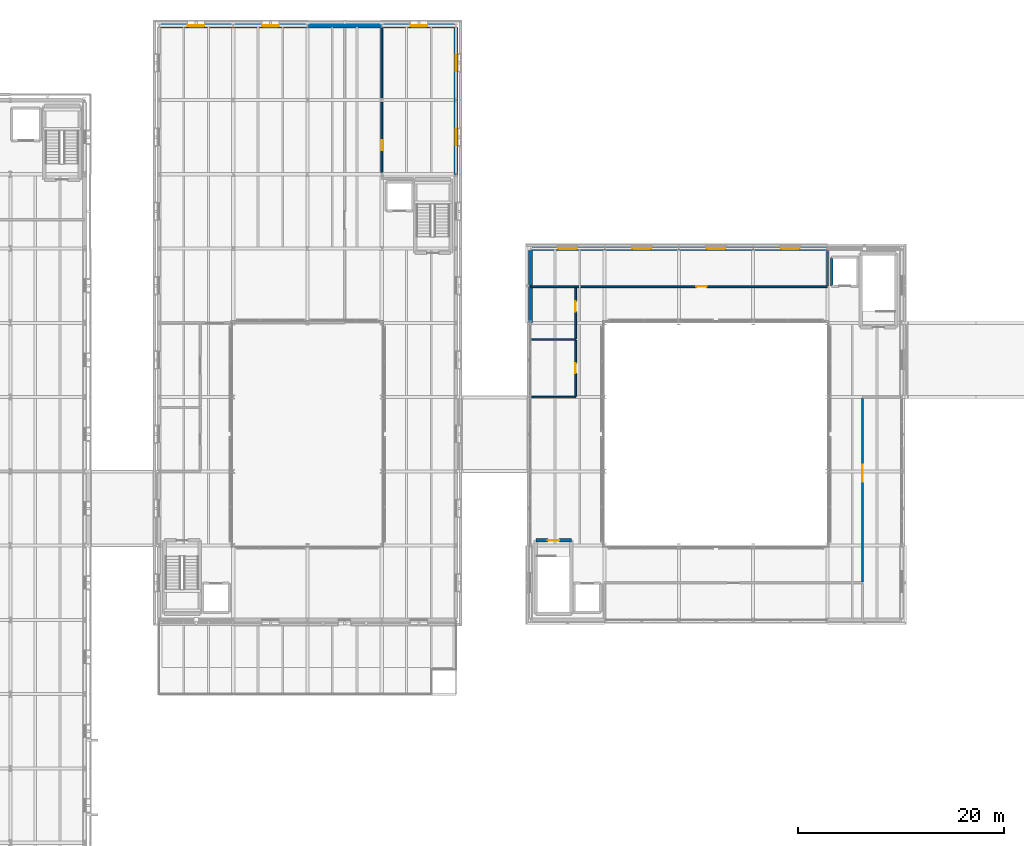
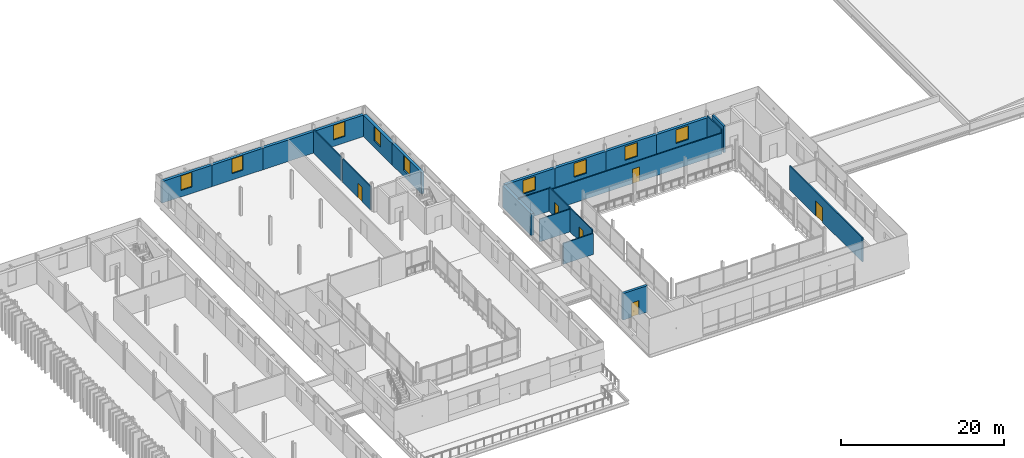
# One storey, part 63 of 91: 23 walls, 9 windows, 6 doors, 15 openings.
"""IFC4 building model written with IfcOpenShell, lengths in metres."""

from ifc_helpers import new_model, si_unit, direction, frame, frame_2d, origin, place, context, subcontext, project, spatial, rectangle, extrude, material, layer, layer_set, type_object, element, fill, save


model = new_model("IFC4")

# Units and contexts
model_context = context("Model", 3, precision=1e-05, world=origin(), true_north=direction((0.0, 1.0)))
body_context = subcontext(model_context, "Body", "Model", "MODEL_VIEW")
ifc_project = project(units=[si_unit("LENGTHUNIT", "METRE"), si_unit("AREAUNIT", "SQUARE_METRE"), si_unit("VOLUMEUNIT", "CUBIC_METRE"), si_unit("PLANEANGLEUNIT", "RADIAN"), si_unit("MASSUNIT", "GRAM", prefix="KILO")], contexts=[model_context])

# Site, building, storey
site_placement = place(None, origin())
site = spatial("IfcSite", under=ifc_project, at=site_placement, CompositionType="ELEMENT")
building_placement = place(site_placement, origin())
building = spatial("IfcBuilding", under=site, at=building_placement, Name="Narikvali Park Central Library", CompositionType="ELEMENT")
storey_placement = place(building_placement, frame((0.0, 0.0, 14.39990234375)))
storey = spatial("IfcBuildingStorey", under=building, at=storey_placement, Name="L03", CompositionType="ELEMENT", Elevation=14.39990234375)

# Walls
ifc_material_1 = material(Name="Moisture-Resistant Cement Board on Steel Studs", Category="steel")
ifc_layer_1 = layer(ifc_material_1, 0.14990234375, Name="Moisture-Resistant Cement Board on Steel Studs")
ifc_layer_set_1 = layer_set([ifc_layer_1], Name="Moisture-Resistant Cement Board on Steel Studs")
wall_type_1 = type_object("IfcWallType", Name="Moisture-Resistant WC Partition 150", PredefinedType="PARTITIONING", material=ifc_layer_set_1)
wall_1_placement = place(storey_placement, frame((64.9541015625, 79.199951171875, 0.0), z_axis=(0.0, 0.0, 1.0), x_axis=(1.0, 0.0, 0.0)))
element("IfcWall", 1, at=wall_1_placement, inside=storey, type_object=wall_type_1, Name="Accessible WC and Restrooms L03 Partition S", PredefinedType="PARTITIONING", context=body_context, shape_type="SweptSolid", body=[
    extrude(rectangle(XDim=4.245849609375, YDim=0.14990234375, at=frame_2d((2.123046875, 0.0))), origin(), (0.0, 0.0, 1.0), 3.135009765625),
])
wall_2_placement = place(storey_placement, frame((64.85498046875, 84.800048828125, 0.0), z_axis=(0.0, 0.0, 1.0), x_axis=(1.0, 0.0, 0.0)))
element("IfcWall", 2, at=wall_2_placement, inside=storey, type_object=wall_type_1, Name="Accessible WC and Restrooms L03 Partition N", PredefinedType="PARTITIONING", context=body_context, shape_type="SweptSolid", body=[
    extrude(rectangle(XDim=4.344970703125, YDim=0.14990234375, at=frame_2d((2.17236328125, 0.0))), origin(), (0.0, 0.0, 1.0), 3.39501953125),
])

# Wall, opening, door
wall_3_placement = place(storey_placement, frame((69.199951171875, 79.277099609375, 0.0), z_axis=(0.0, 0.0, 1.0), x_axis=(0.0, 1.0, 0.0)))
wall_3 = element("IfcWall", 3, at=wall_3_placement, inside=storey, type_object=wall_type_1, Name="Accessible WC and Restrooms L03 Partition E", PredefinedType="PARTITIONING", context=body_context, shape_type="SweptSolid", body=[
    extrude(rectangle(XDim=5.44580078125, YDim=0.14990234375, at=frame_2d((2.722900390625, 0.0))), origin(), (0.0, 0.0, 1.0), 3.585205078125),
])
opening_1_placement = place(wall_3_placement, frame((2.23291015625, 0.0, 0.0)))
opening_1 = element("IfcOpeningElement", 4, at=opening_1_placement, cuts=wall_3, Name="Opening ID-0004", PredefinedType="OPENING", context=body_context, shape_type="SweptSolid", body=[
    extrude(rectangle(XDim=0.97998046875, YDim=2.10009765625, at=frame_2d((0.489990234375, 1.050048828125))), frame((0.0, 0.0869140625, 0.0), z_axis=(0.0, -1.0, 0.0), x_axis=(1.0, 0.0, 0.0)), (0.0, 0.0, 1.0), 0.173828125),
])
ifc_material_2 = material(Name="Laminate Faced Hardwood Core", Category="wood")
door_type_1 = type_object("IfcDoorType", Name="Accessible WC Outward-Opening Door 980x2100", OperationType="SINGLE_SWING_RIGHT", PredefinedType="DOOR", material=ifc_material_2)
door_1_placement = place(opening_1_placement, frame((0.97998046875, 0.0, 0.0), z_axis=(0.0, 0.0, 1.0), x_axis=(-1.0, 0.0, 0.0)))
door_1 = element("IfcDoor", 5, at=door_1_placement, inside=storey, type_object=door_type_1, Name="Accessible WC and Restrooms L03 Door ID-0004", OperationType="SINGLE_SWING_RIGHT", OverallHeight=2.10009765625, OverallWidth=0.97998046875, PredefinedType="DOOR", context=body_context, shape_type="SweptSolid", body=[
    extrude(rectangle(XDim=0.97998046875, YDim=2.10009765625, at=frame_2d((0.489990234375, 1.050048828125))), frame((0.0, 0.02490234375, 0.0), z_axis=(0.0, -1.0, 0.0), x_axis=(1.0, 0.0, 0.0)), (0.0, 0.0, 1.0), 0.050048828125),
])
fill(opening_1, door_1)

# Wall
ifc_material_3 = material(Name="Acoustic Gypsum on Steel Studs", Category="steel")
ifc_layer_2 = layer(ifc_material_3, 0.179931640625, Name="Acoustic Gypsum on Steel Studs")
ifc_layer_set_2 = layer_set([ifc_layer_2], Name="Acoustic Gypsum on Steel Studs")
wall_type_2 = type_object("IfcWallType", Name="Reading Room Acoustic Partition 180", PredefinedType="PARTITIONING", material=ifc_layer_set_2)
wall_4_placement = place(storey_placement, frame((64.85498046875, 89.89990234375, 0.0), z_axis=(0.0, 0.0, 1.0), x_axis=(1.0, 0.0, 0.0)))
element("IfcWall", 6, at=wall_4_placement, inside=storey, type_object=wall_type_2, Name="Drum Clerestory Archival Supply Closet Partition N", PredefinedType="PARTITIONING", context=body_context, shape_type="SweptSolid", body=[
    extrude(rectangle(XDim=4.344970703125, YDim=0.179931640625, at=frame_2d((2.17236328125, 0.0))), origin(), (0.0, 0.0, 1.0), 3.39501953125),
])

# Wall, opening, door
wall_5_placement = place(storey_placement, frame((97.0, 61.281982421875, 0.0), z_axis=(0.0, 0.0, 1.0), x_axis=(0.0, 1.0, 0.0)))
wall_5 = element("IfcWall", 7, at=wall_5_placement, inside=storey, type_object=wall_type_2, Name="Drum Clerestory East Open Stacks Gallery Partition W", PredefinedType="PARTITIONING", context=body_context, shape_type="SweptSolid", body=[
    extrude(rectangle(XDim=17.825927734375, YDim=0.179931640625, at=frame_2d((8.9130859375, 0.0))), origin(), (0.0, 0.0, 1.0), 3.585205078125),
])
opening_2_placement = place(wall_5_placement, frame((9.72705078125, 0.0, 0.0)))
opening_2 = element("IfcOpeningElement", 8, at=opening_2_placement, cuts=wall_5, Name="Opening ID-0047", PredefinedType="OPENING", context=body_context, shape_type="SweptSolid", body=[
    extrude(rectangle(XDim=1.64990234375, YDim=2.25, at=frame_2d((0.824951171875, 1.125))), frame((0.0, 0.10205078125, 0.0), z_axis=(0.0, -1.0, 0.0), x_axis=(1.0, 0.0, 0.0)), (0.0, 0.0, 1.0), 0.203857421875),
])
ifc_material_4 = material(Name="Caucasian Oak and Tempered Glass", Category="glass")
door_type_2 = type_object("IfcDoorType", Name="Open Stacks Double Glazed Door 1650x2250", OperationType="DOUBLE_DOOR_SINGLE_SWING", PredefinedType="DOOR", material=ifc_material_4)
door_2_placement = place(opening_2_placement, frame((1.64990234375, 0.0, 0.0), z_axis=(0.0, 0.0, 1.0), x_axis=(-1.0, 0.0, 0.0)))
door_2 = element("IfcDoor", 9, at=door_2_placement, inside=storey, type_object=door_type_2, Name="Drum Clerestory East Open Stacks Gallery Door ID-0047", OperationType="DOUBLE_DOOR_SINGLE_SWING", OverallHeight=2.25, OverallWidth=1.64990234375, PredefinedType="DOOR", context=body_context, shape_type="SweptSolid", body=[
    extrude(rectangle(XDim=1.64990234375, YDim=2.25, at=frame_2d((0.824951171875, 1.125))), frame((0.0, 0.02490234375, 0.0), z_axis=(0.0, -1.0, 0.0), x_axis=(1.0, 0.0, 0.0)), (0.0, 0.0, 1.0), 0.050048828125),
])
fill(opening_2, door_2)

wall_6_placement = place(storey_placement, frame((69.199951171875, 84.876953125, 0.0), z_axis=(0.0, 0.0, 1.0), x_axis=(0.0, 1.0, 0.0)))
wall_6 = element("IfcWall", 10, at=wall_6_placement, inside=storey, type_object=wall_type_2, Name="Drum Clerestory Archival Supply Closet Partition E", PredefinedType="PARTITIONING", context=body_context, shape_type="SweptSolid", body=[
    extrude(rectangle(XDim=4.93115234375, YDim=0.179931640625, at=frame_2d((2.465576171875, 0.0))), origin(), (0.0, 0.0, 1.0), 3.585205078125),
])
opening_3_placement = place(wall_6_placement, frame((2.60693359375, 0.0, 0.0)))
opening_3 = element("IfcOpeningElement", 11, at=opening_3_placement, cuts=wall_6, Name="Opening ID-0048", PredefinedType="OPENING", context=body_context, shape_type="SweptSolid", body=[
    extrude(rectangle(XDim=1.0, YDim=2.14990234375, at=frame_2d((0.5, 1.074951171875))), frame((0.0, 0.10205078125, 0.0), z_axis=(0.0, -1.0, 0.0), x_axis=(1.0, 0.0, 0.0)), (0.0, 0.0, 1.0), 0.203857421875),
])
ifc_material_5 = material(Name="Solid Caucasian Oak")
door_type_3 = type_object("IfcDoorType", Name="Study Room Single Oak Door 1000x2150", OperationType="SINGLE_SWING_LEFT", PredefinedType="DOOR", material=ifc_material_5)
door_3_placement = place(opening_3_placement, origin())
door_3 = element("IfcDoor", 12, at=door_3_placement, inside=storey, type_object=door_type_3, Name="Drum Clerestory Archival Supply Closet Door ID-0048", OperationType="SINGLE_SWING_RIGHT", OverallHeight=2.14990234375, OverallWidth=1.0, PredefinedType="DOOR", context=body_context, shape_type="SweptSolid", body=[
    extrude(rectangle(XDim=1.0, YDim=2.14990234375, at=frame_2d((0.5, 1.074951171875))), frame((0.0, 0.02490234375, 0.0), z_axis=(0.0, -1.0, 0.0), x_axis=(1.0, 0.0, 0.0)), (0.0, 0.0, 1.0), 0.050048828125),
])
fill(opening_3, door_3)

ifc_material_6 = material(Name="Concrete C40/50", Category="concrete")
ifc_layer_3 = layer(ifc_material_6, 0.35009765625, Name="Concrete C40/50")
ifc_layer_set_3 = layer_set([ifc_layer_3], Name="Concrete C40/50")
wall_type_3 = type_object("IfcWallType", Name="Reinforced Concrete Core Shear Wall 350", PredefinedType="SHEAR", material=ifc_layer_set_3)
wall_7_placement = place(storey_placement, frame((68.77001953125, 65.320068359375, 0.0), z_axis=(0.0, 0.0, 1.0), x_axis=(-1.0, 0.0, 0.0)))
wall_7 = element("IfcWall", 13, at=wall_7_placement, inside=storey, type_object=wall_type_3, Name="C1A L03 Stair Core Shear Wall N", PredefinedType="SHEAR", context=body_context, shape_type="SweptSolid", body=[
    extrude(rectangle(XDim=3.43994140625, YDim=0.35009765625, at=frame_2d((1.719970703125, 0.0))), origin(), (0.0, 0.0, 1.0), 3.960205078125),
])
opening_4_placement = place(wall_7_placement, frame((1.169921875, 0.0, 0.0)))
opening_4 = element("IfcOpeningElement", 14, at=opening_4_placement, cuts=wall_7, Name="Opening SD-005", PredefinedType="OPENING", context=body_context, shape_type="SweptSolid", body=[
    extrude(rectangle(XDim=1.10009765625, YDim=2.14990234375, at=frame_2d((0.550048828125, 1.074951171875))), frame((0.0, 0.18701171875, 0.0), z_axis=(0.0, -1.0, 0.0), x_axis=(1.0, 0.0, 0.0)), (0.0, 0.0, 1.0), 0.3740234375),
])
ifc_material_7 = material(Name="Powder-Coated Steel S275 Fire Leaf", Category="steel")
door_type_4 = type_object("IfcDoorType", Name="Stair Core Smoke-Control Fire Door 1100x2150", OperationType="SINGLE_SWING_LEFT", PredefinedType="DOOR", material=ifc_material_7)
door_4_placement = place(opening_4_placement, frame((1.10009765625, 0.0, 0.0), z_axis=(0.0, 0.0, 1.0), x_axis=(-1.0, 0.0, 0.0)))
door_4 = element("IfcDoor", 15, at=door_4_placement, inside=storey, type_object=door_type_4, Name="ST-01 L03 Stair Exit Door SD-005", OperationType="SINGLE_SWING_LEFT", OverallHeight=2.14990234375, OverallWidth=1.10009765625, PredefinedType="DOOR", context=body_context, shape_type="SweptSolid", body=[
    extrude(rectangle(XDim=1.10009765625, YDim=2.14990234375, at=frame_2d((0.550048828125, 1.074951171875))), frame((0.0, 0.02490234375, 0.0), z_axis=(0.0, -1.0, 0.0), x_axis=(1.0, 0.0, 0.0)), (0.0, 0.0, 1.0), 0.050048828125),
])
fill(opening_4, door_4)

# Wall
ifc_layer_4 = layer(ifc_material_6, 0.25, Name="Concrete C40/50")
ifc_layer_set_4 = layer_set([ifc_layer_4], Name="Concrete C40/50")
wall_type_4 = type_object("IfcWallType", Name="Reinforced Concrete Lift Shaft Wall 250", PredefinedType="SHEAR", material=ifc_layer_set_4)
wall_8_placement = place(storey_placement, frame((94.0, 92.75, 0.0), z_axis=(0.0, 0.0, 1.0), x_axis=(0.0, -1.0, 0.0)))
element("IfcWall", 16, at=wall_8_placement, inside=storey, type_object=wall_type_4, Name="L-02 L03 Lift Shaft Wall W", PredefinedType="SHEAR", context=body_context, shape_type="SweptSolid", body=[
    extrude(rectangle(XDim=2.800048828125, YDim=0.25, at=frame_2d((1.39990234375, 0.0))), origin(), (0.0, 0.0, 1.0), 3.960205078125),
])

# Wall, opening, door
ifc_material_8 = material(Name="Gypsum Board on Galvanised Steel Studs", Category="steel")
ifc_layer_5 = layer(ifc_material_8, 0.159912109375, Name="Gypsum Board on Galvanised Steel Studs")
ifc_layer_set_5 = layer_set([ifc_layer_5], Name="Gypsum Board on Galvanised Steel Studs")
wall_type_5 = type_object("IfcWallType", Name="Study Room Partition Wall 160", PredefinedType="PARTITIONING", material=ifc_layer_set_5)
wall_9_placement = place(storey_placement, frame((69.201904296875, 89.89990234375, 0.0), z_axis=(0.0, 0.0, 1.0), x_axis=(1.0, 0.0, 0.0)))
wall_9 = element("IfcWall", 17, at=wall_9_placement, inside=storey, type_object=wall_type_5, Name="Drum Clerestory North Study Gallery Partition S", PredefinedType="PARTITIONING", context=body_context, shape_type="SweptSolid", body=[
    extrude(rectangle(XDim=24.398193359375, YDim=0.159912109375, at=frame_2d((12.19921875, 0.0))), origin(), (0.0, 0.0, 1.0), 3.135009765625),
])
opening_5_placement = place(wall_9_placement, frame((11.698974609375, 0.0, 0.0)))
opening_5 = element("IfcOpeningElement", 18, at=opening_5_placement, cuts=wall_9, Name="Opening ID-0049", PredefinedType="OPENING", context=body_context, shape_type="SweptSolid", body=[
    extrude(rectangle(XDim=1.0, YDim=2.14990234375, at=frame_2d((0.5, 1.074951171875))), frame((0.0, 0.091796875, 0.0), z_axis=(0.0, -1.0, 0.0), x_axis=(1.0, 0.0, 0.0)), (0.0, 0.0, 1.0), 0.183837890625),
])
door_5_placement = place(opening_5_placement, origin())
door_5 = element("IfcDoor", 19, at=door_5_placement, inside=storey, type_object=door_type_3, Name="Drum Clerestory North Study Gallery Door ID-0049", OperationType="SINGLE_SWING_LEFT", OverallHeight=2.14990234375, OverallWidth=1.0, PredefinedType="DOOR", context=body_context, shape_type="SweptSolid", body=[
    extrude(rectangle(XDim=1.0, YDim=2.14990234375, at=frame_2d((0.5, 1.074951171875))), frame((0.0, 0.02490234375, 0.0), z_axis=(0.0, -1.0, 0.0), x_axis=(1.0, 0.0, 0.0)), (0.0, 0.0, 1.0), 0.050048828125),
])
fill(opening_5, door_5)

# Wall
wall_10_placement = place(storey_placement, frame((93.60009765625, 89.98193359375, 0.0), z_axis=(0.0, 0.0, 1.0), x_axis=(0.0, 1.0, 0.0)))
element("IfcWall", 20, at=wall_10_placement, inside=storey, type_object=wall_type_5, Name="Drum Clerestory North Study Gallery Partition E", PredefinedType="PARTITIONING", context=body_context, shape_type="SweptSolid", body=[
    extrude(rectangle(XDim=3.43408203125, YDim=0.159912109375, at=frame_2d((1.717041015625, 0.0))), origin(), (0.0, 0.0, 1.0), 3.59521484375),
])

# Wall, opening, door
wall_11_placement = place(storey_placement, frame((50.39990234375, 100.97412109375, 0.0), z_axis=(0.0, 0.0, 1.0), x_axis=(0.0, 1.0, 0.0)))
wall_11 = element("IfcWall", 21, at=wall_11_placement, inside=storey, type_object=wall_type_5, Name="North Boulevard Scholar Carrels L03 Partition W", PredefinedType="PARTITIONING", context=body_context, shape_type="SweptSolid", body=[
    extrude(rectangle(XDim=6.851806640625, YDim=0.159912109375, at=frame_2d((3.42578125, 0.0))), origin(), (0.0, 0.0, 1.0), 3.4951171875),
])
opening_6_placement = place(wall_11_placement, frame((2.133056640625, 0.0, 0.0)))
opening_6 = element("IfcOpeningElement", 22, at=opening_6_placement, cuts=wall_11, Name="Opening ID-0099", PredefinedType="OPENING", context=body_context, shape_type="SweptSolid", body=[
    extrude(rectangle(XDim=1.0, YDim=2.14990234375, at=frame_2d((0.5, 1.074951171875))), frame((0.0, 0.091796875, 0.0), z_axis=(0.0, -1.0, 0.0), x_axis=(1.0, 0.0, 0.0)), (0.0, 0.0, 1.0), 0.183837890625),
])
door_6_placement = place(opening_6_placement, frame((1.0, 0.0, 0.0), z_axis=(0.0, 0.0, 1.0), x_axis=(-1.0, 0.0, 0.0)))
door_6 = element("IfcDoor", 23, at=door_6_placement, inside=storey, type_object=door_type_3, Name="North Boulevard Scholar Carrels L03 Door ID-0099", OperationType="SINGLE_SWING_LEFT", OverallHeight=2.14990234375, OverallWidth=1.0, PredefinedType="DOOR", context=body_context, shape_type="SweptSolid", body=[
    extrude(rectangle(XDim=1.0, YDim=2.14990234375, at=frame_2d((0.5, 1.074951171875))), frame((0.0, 0.02490234375, 0.0), z_axis=(0.0, -1.0, 0.0), x_axis=(1.0, 0.0, 0.0)), (0.0, 0.0, 1.0), 0.050048828125),
])
fill(opening_6, door_6)

# Wall
wall_12_placement = place(storey_placement, frame((50.39990234375, 108.174072265625, 0.0), z_axis=(0.0, 0.0, 1.0), x_axis=(0.0, 1.0, 0.0)))
element("IfcWall", 24, at=wall_12_placement, inside=storey, type_object=wall_type_5, Name="North Boulevard Scholar Carrels L03 Partition W", PredefinedType="PARTITIONING", context=body_context, shape_type="SweptSolid", body=[
    extrude(rectangle(XDim=6.851806640625, YDim=0.159912109375, at=frame_2d((3.42578125, 0.0))), origin(), (0.0, 0.0, 1.0), 3.4951171875),
])

# Wall, opening, window
ifc_material_9 = material(Name="White Honed Limestone over Concrete C35/45", Category="masonry")
ifc_layer_6 = layer(ifc_material_9, 0.39990234375, Name="White Honed Limestone over Concrete C35/45")
ifc_layer_set_6 = layer_set([ifc_layer_6], Name="White Honed Limestone over Concrete C35/45")
wall_type_6 = type_object("IfcWallType", Name="White Limestone Battered Tier3 Wall 400", PredefinedType="SOLIDWALL", material=ifc_layer_set_6)
wall_13_placement = place(storey_placement, frame((93.60009765625, 93.60009765625, 0.0), z_axis=(0.0, 0.0, 1.0), x_axis=(-1.0, 0.0, 0.0)))
wall_13 = element("IfcWall", 25, at=wall_13_placement, inside=storey, type_object=wall_type_6, Name="V1 L03 N Exterior Limestone Wall B02", PredefinedType="SOLIDWALL", context=body_context, shape_type="SweptSolid", body=[
    extrude(rectangle(XDim=7.2001953125, YDim=0.39990234375, at=frame_2d((3.60009765625, 0.0))), origin(), (0.0, 0.0, 1.0), 3.239990234375),
])
opening_7_placement = place(wall_13_placement, frame((2.699951171875, 0.0, 0.949951171875)))
opening_7 = element("IfcOpeningElement", 26, at=opening_7_placement, cuts=wall_13, Name="Opening WIN-0039", PredefinedType="OPENING", context=body_context, shape_type="SweptSolid", body=[
    extrude(rectangle(XDim=1.800048828125, YDim=2.050048828125, at=frame_2d((0.89990234375, 1.02490234375))), frame((0.0, 0.2119140625, 0.0), z_axis=(0.0, -1.0, 0.0), x_axis=(1.0, 0.0, 0.0)), (0.0, 0.0, 1.0), 0.423828125),
])
ifc_material_10 = material(Name="Anodised Bronze Aluminium and Low-E Triple Glazing", Category="aluminium")
window_type_1 = type_object("IfcWindowType", Name="Rotunda Mezzanine Deep-Set Window 1800x2050", PartitioningType="DOUBLE_PANEL_VERTICAL", PredefinedType="WINDOW", material=ifc_material_10)
window_1_placement = place(opening_7_placement, origin())
window_1 = element("IfcWindow", 27, at=window_1_placement, inside=storey, type_object=window_type_1, Name="V1 L03 N Deep-Reveal Window WIN-0039", OverallHeight=2.050048828125, OverallWidth=1.800048828125, PartitioningType="SINGLE_PANEL", PredefinedType="WINDOW", context=body_context, shape_type="SweptSolid", body=[
    extrude(rectangle(XDim=1.800048828125, YDim=2.050048828125, at=frame_2d((0.89990234375, 1.02490234375))), frame((0.0, 0.030029296875, 0.0), z_axis=(0.0, -1.0, 0.0), x_axis=(1.0, 0.0, 0.0)), (0.0, 0.0, 1.0), 0.06005859375),
])
fill(opening_7, window_1)

wall_14_placement = place(storey_placement, frame((86.39990234375, 93.60009765625, 0.0), z_axis=(0.0, 0.0, 1.0), x_axis=(-1.0, 0.0, 0.0)))
wall_14 = element("IfcWall", 28, at=wall_14_placement, inside=storey, type_object=wall_type_6, Name="V1 L03 N Exterior Limestone Wall B03", PredefinedType="SOLIDWALL", context=body_context, shape_type="SweptSolid", body=[
    extrude(rectangle(XDim=7.199951171875, YDim=0.39990234375, at=frame_2d((3.60009765625, 0.0))), origin(), (0.0, 0.0, 1.0), 3.239990234375),
])
opening_8_placement = place(wall_14_placement, frame((2.699951171875, 0.0, 0.949951171875)))
opening_8 = element("IfcOpeningElement", 29, at=opening_8_placement, cuts=wall_14, Name="Opening WIN-0040", PredefinedType="OPENING", context=body_context, shape_type="SweptSolid", body=[
    extrude(rectangle(XDim=1.800048828125, YDim=2.050048828125, at=frame_2d((0.89990234375, 1.02490234375))), frame((0.0, 0.2119140625, 0.0), z_axis=(0.0, -1.0, 0.0), x_axis=(1.0, 0.0, 0.0)), (0.0, 0.0, 1.0), 0.423828125),
])
window_2_placement = place(opening_8_placement, origin())
window_2 = element("IfcWindow", 30, at=window_2_placement, inside=storey, type_object=window_type_1, Name="V1 L03 N Deep-Reveal Window WIN-0040", OverallHeight=2.050048828125, OverallWidth=1.800048828125, PartitioningType="SINGLE_PANEL", PredefinedType="WINDOW", context=body_context, shape_type="SweptSolid", body=[
    extrude(rectangle(XDim=1.800048828125, YDim=2.050048828125, at=frame_2d((0.89990234375, 1.02490234375))), frame((0.0, 0.030029296875, 0.0), z_axis=(0.0, -1.0, 0.0), x_axis=(1.0, 0.0, 0.0)), (0.0, 0.0, 1.0), 0.06005859375),
])
fill(opening_8, window_2)

wall_15_placement = place(storey_placement, frame((79.199951171875, 93.60009765625, 0.0), z_axis=(0.0, 0.0, 1.0), x_axis=(-1.0, 0.0, 0.0)))
wall_15 = element("IfcWall", 31, at=wall_15_placement, inside=storey, type_object=wall_type_6, Name="V1 L03 N Exterior Limestone Wall B04", PredefinedType="SOLIDWALL", context=body_context, shape_type="SweptSolid", body=[
    extrude(rectangle(XDim=7.199951171875, YDim=0.39990234375, at=frame_2d((3.60009765625, 0.0))), origin(), (0.0, 0.0, 1.0), 3.239990234375),
])
opening_9_placement = place(wall_15_placement, frame((2.699951171875, 0.0, 0.949951171875)))
opening_9 = element("IfcOpeningElement", 32, at=opening_9_placement, cuts=wall_15, Name="Opening WIN-0041", PredefinedType="OPENING", context=body_context, shape_type="SweptSolid", body=[
    extrude(rectangle(XDim=1.800048828125, YDim=2.050048828125, at=frame_2d((0.89990234375, 1.02490234375))), frame((0.0, 0.2119140625, 0.0), z_axis=(0.0, -1.0, 0.0), x_axis=(1.0, 0.0, 0.0)), (0.0, 0.0, 1.0), 0.423828125),
])
window_3_placement = place(opening_9_placement, origin())
window_3 = element("IfcWindow", 33, at=window_3_placement, inside=storey, type_object=window_type_1, Name="V1 L03 N Deep-Reveal Window WIN-0041", OverallHeight=2.050048828125, OverallWidth=1.800048828125, PartitioningType="SINGLE_PANEL", PredefinedType="WINDOW", context=body_context, shape_type="SweptSolid", body=[
    extrude(rectangle(XDim=1.800048828125, YDim=2.050048828125, at=frame_2d((0.89990234375, 1.02490234375))), frame((0.0, 0.030029296875, 0.0), z_axis=(0.0, -1.0, 0.0), x_axis=(1.0, 0.0, 0.0)), (0.0, 0.0, 1.0), 0.06005859375),
])
fill(opening_9, window_3)

wall_16_placement = place(storey_placement, frame((72.0, 93.60009765625, 0.0), z_axis=(0.0, 0.0, 1.0), x_axis=(-1.0, 0.0, 0.0)))
wall_16 = element("IfcWall", 34, at=wall_16_placement, inside=storey, type_object=wall_type_6, Name="V1 L03 N Exterior Limestone Wall B05", PredefinedType="SOLIDWALL", context=body_context, shape_type="SweptSolid", body=[
    extrude(rectangle(XDim=7.0458984375, YDim=0.39990234375, at=frame_2d((3.52294921875, 0.0))), origin(), (0.0, 0.0, 1.0), 3.239990234375),
])
opening_10_placement = place(wall_16_placement, frame((2.699951171875, 0.0, 0.949951171875)))
opening_10 = element("IfcOpeningElement", 35, at=opening_10_placement, cuts=wall_16, Name="Opening WIN-0042", PredefinedType="OPENING", context=body_context, shape_type="SweptSolid", body=[
    extrude(rectangle(XDim=1.800048828125, YDim=2.050048828125, at=frame_2d((0.89990234375, 1.02490234375))), frame((0.0, 0.2119140625, 0.0), z_axis=(0.0, -1.0, 0.0), x_axis=(1.0, 0.0, 0.0)), (0.0, 0.0, 1.0), 0.423828125),
])
window_4_placement = place(opening_10_placement, origin())
window_4 = element("IfcWindow", 36, at=window_4_placement, inside=storey, type_object=window_type_1, Name="V1 L03 N Deep-Reveal Window WIN-0042", OverallHeight=2.050048828125, OverallWidth=1.800048828125, PartitioningType="SINGLE_PANEL", PredefinedType="WINDOW", context=body_context, shape_type="SweptSolid", body=[
    extrude(rectangle(XDim=1.800048828125, YDim=2.050048828125, at=frame_2d((0.89990234375, 1.02490234375))), frame((0.0, 0.030029296875, 0.0), z_axis=(0.0, -1.0, 0.0), x_axis=(1.0, 0.0, 0.0)), (0.0, 0.0, 1.0), 0.06005859375),
])
fill(opening_10, window_4)

# Wall
wall_17_placement = place(storey_placement, frame((64.800048828125, 93.416015625, 0.0), z_axis=(0.0, 0.0, 1.0), x_axis=(0.0, -1.0, 0.0)))
element("IfcWall", 37, at=wall_17_placement, inside=storey, type_object=wall_type_6, Name="V1 L03 W Exterior Limestone Wall B01", PredefinedType="SOLIDWALL", context=body_context, shape_type="SweptSolid", body=[
    extrude(rectangle(XDim=7.01611328125, YDim=0.39990234375, at=frame_2d((3.508056640625, 0.0))), origin(), (0.0, 0.0, 1.0), 3.239990234375),
])

# Wall, opening, window
wall_18_placement = place(storey_placement, frame((57.60009765625, 100.800048828125, 0.0), z_axis=(0.0, 0.0, 1.0), x_axis=(0.0, 1.0, 0.0)))
wall_18 = element("IfcWall", 38, at=wall_18_placement, inside=storey, type_object=wall_type_6, Name="V4 L03 E Exterior Limestone Wall B07", PredefinedType="SOLIDWALL", context=body_context, shape_type="SweptSolid", body=[
    extrude(rectangle(XDim=7.199951171875, YDim=0.39990234375, at=frame_2d((3.60009765625, 0.0))), origin(), (0.0, 0.0, 1.0), 3.22021484375),
])
opening_11_placement = place(wall_18_placement, frame((2.800048828125, 0.0, 0.949951171875)))
opening_11 = element("IfcOpeningElement", 39, at=opening_11_placement, cuts=wall_18, Name="Opening WIN-0193", PredefinedType="OPENING", context=body_context, shape_type="SweptSolid", body=[
    extrude(rectangle(XDim=1.60009765625, YDim=2.199951171875, at=frame_2d((0.800048828125, 1.10009765625))), frame((0.0, 0.2119140625, 0.0), z_axis=(0.0, -1.0, 0.0), x_axis=(1.0, 0.0, 0.0)), (0.0, 0.0, 1.0), 0.423828125),
])
window_type_2 = type_object("IfcWindowType", Name="Atrium Reading Wing Classical Window 1600x2200", PartitioningType="DOUBLE_PANEL_VERTICAL", PredefinedType="WINDOW", material=ifc_material_10)
window_5_placement = place(opening_11_placement, origin())
window_5 = element("IfcWindow", 40, at=window_5_placement, inside=storey, type_object=window_type_2, Name="V4 L03 E Deep-Reveal Window WIN-0193", OverallHeight=2.199951171875, OverallWidth=1.60009765625, PartitioningType="SINGLE_PANEL", PredefinedType="WINDOW", context=body_context, shape_type="SweptSolid", body=[
    extrude(rectangle(XDim=1.60009765625, YDim=2.199951171875, at=frame_2d((0.800048828125, 1.10009765625))), frame((0.0, 0.030029296875, 0.0), z_axis=(0.0, -1.0, 0.0), x_axis=(1.0, 0.0, 0.0)), (0.0, 0.0, 1.0), 0.06005859375),
])
fill(opening_11, window_5)

wall_19_placement = place(storey_placement, frame((57.60009765625, 108.0, 0.0), z_axis=(0.0, 0.0, 1.0), x_axis=(0.0, 1.0, 0.0)))
wall_19 = element("IfcWall", 41, at=wall_19_placement, inside=storey, type_object=wall_type_6, Name="V4 L03 E Exterior Limestone Wall B08", PredefinedType="SOLIDWALL", context=body_context, shape_type="SweptSolid", body=[
    extrude(rectangle(XDim=7.02587890625, YDim=0.39990234375, at=frame_2d((3.512939453125, 0.0))), origin(), (0.0, 0.0, 1.0), 3.22021484375),
])
opening_12_placement = place(wall_19_placement, frame((2.800048828125, 0.0, 0.949951171875)))
opening_12 = element("IfcOpeningElement", 42, at=opening_12_placement, cuts=wall_19, Name="Opening WIN-0194", PredefinedType="OPENING", context=body_context, shape_type="SweptSolid", body=[
    extrude(rectangle(XDim=1.60009765625, YDim=2.199951171875, at=frame_2d((0.800048828125, 1.10009765625))), frame((0.0, 0.2119140625, 0.0), z_axis=(0.0, -1.0, 0.0), x_axis=(1.0, 0.0, 0.0)), (0.0, 0.0, 1.0), 0.423828125),
])
window_6_placement = place(opening_12_placement, origin())
window_6 = element("IfcWindow", 43, at=window_6_placement, inside=storey, type_object=window_type_2, Name="V4 L03 E Deep-Reveal Window WIN-0194", OverallHeight=2.199951171875, OverallWidth=1.60009765625, PartitioningType="SINGLE_PANEL", PredefinedType="WINDOW", context=body_context, shape_type="SweptSolid", body=[
    extrude(rectangle(XDim=1.60009765625, YDim=2.199951171875, at=frame_2d((0.800048828125, 1.10009765625))), frame((0.0, 0.030029296875, 0.0), z_axis=(0.0, -1.0, 0.0), x_axis=(1.0, 0.0, 0.0)), (0.0, 0.0, 1.0), 0.06005859375),
])
fill(opening_12, window_6)

wall_20_placement = place(storey_placement, frame((57.446044921875, 115.199951171875, 0.0), z_axis=(0.0, 0.0, 1.0), x_axis=(-1.0, 0.0, 0.0)))
wall_20 = element("IfcWall", 44, at=wall_20_placement, inside=storey, type_object=wall_type_6, Name="V4 L03 N Exterior Limestone Wall B01", PredefinedType="SOLIDWALL", context=body_context, shape_type="SweptSolid", body=[
    extrude(rectangle(XDim=7.046142578125, YDim=0.39990234375, at=frame_2d((3.52294921875, 0.0))), origin(), (0.0, 0.0, 1.0), 3.22021484375),
])
opening_13_placement = place(wall_20_placement, frame((2.64599609375, 0.0, 0.949951171875)))
opening_13 = element("IfcOpeningElement", 45, at=opening_13_placement, cuts=wall_20, Name="Opening WIN-0195", PredefinedType="OPENING", context=body_context, shape_type="SweptSolid", body=[
    extrude(rectangle(XDim=1.60009765625, YDim=2.199951171875, at=frame_2d((0.800048828125, 1.10009765625))), frame((0.0, 0.2119140625, 0.0), z_axis=(0.0, -1.0, 0.0), x_axis=(1.0, 0.0, 0.0)), (0.0, 0.0, 1.0), 0.423828125),
])
window_7_placement = place(opening_13_placement, origin())
window_7 = element("IfcWindow", 46, at=window_7_placement, inside=storey, type_object=window_type_2, Name="V4 L03 N Deep-Reveal Window WIN-0195", OverallHeight=2.199951171875, OverallWidth=1.60009765625, PartitioningType="SINGLE_PANEL", PredefinedType="WINDOW", context=body_context, shape_type="SweptSolid", body=[
    extrude(rectangle(XDim=1.60009765625, YDim=2.199951171875, at=frame_2d((0.800048828125, 1.10009765625))), frame((0.0, 0.030029296875, 0.0), z_axis=(0.0, -1.0, 0.0), x_axis=(1.0, 0.0, 0.0)), (0.0, 0.0, 1.0), 0.06005859375),
])
fill(opening_13, window_7)

# Wall
wall_21_placement = place(storey_placement, frame((50.39990234375, 115.199951171875, 0.0), z_axis=(0.0, 0.0, 1.0), x_axis=(-1.0, 0.0, 0.0)))
element("IfcWall", 47, at=wall_21_placement, inside=storey, type_object=wall_type_6, Name="V4 L03 N Exterior Limestone Wall B02", PredefinedType="SOLIDWALL", context=body_context, shape_type="SweptSolid", body=[
    extrude(rectangle(XDim=7.199951171875, YDim=0.39990234375, at=frame_2d((3.60009765625, 0.0))), origin(), (0.0, 0.0, 1.0), 3.22021484375),
])

# Wall, opening, window
wall_22_placement = place(storey_placement, frame((43.199951171875, 115.199951171875, 0.0), z_axis=(0.0, 0.0, 1.0), x_axis=(-1.0, 0.0, 0.0)))
wall_22 = element("IfcWall", 48, at=wall_22_placement, inside=storey, type_object=wall_type_6, Name="V4 L03 N Exterior Limestone Wall B03", PredefinedType="SOLIDWALL", context=body_context, shape_type="SweptSolid", body=[
    extrude(rectangle(XDim=7.199951171875, YDim=0.39990234375, at=frame_2d((3.60009765625, 0.0))), origin(), (0.0, 0.0, 1.0), 3.22021484375),
])
opening_14_placement = place(wall_22_placement, frame((2.800048828125, 0.0, 0.949951171875)))
opening_14 = element("IfcOpeningElement", 49, at=opening_14_placement, cuts=wall_22, Name="Opening WIN-0196", PredefinedType="OPENING", context=body_context, shape_type="SweptSolid", body=[
    extrude(rectangle(XDim=1.60009765625, YDim=2.199951171875, at=frame_2d((0.800048828125, 1.10009765625))), frame((0.0, 0.2119140625, 0.0), z_axis=(0.0, -1.0, 0.0), x_axis=(1.0, 0.0, 0.0)), (0.0, 0.0, 1.0), 0.423828125),
])
window_8_placement = place(opening_14_placement, origin())
window_8 = element("IfcWindow", 50, at=window_8_placement, inside=storey, type_object=window_type_2, Name="V4 L03 N Deep-Reveal Window WIN-0196", OverallHeight=2.199951171875, OverallWidth=1.60009765625, PartitioningType="SINGLE_PANEL", PredefinedType="WINDOW", context=body_context, shape_type="SweptSolid", body=[
    extrude(rectangle(XDim=1.60009765625, YDim=2.199951171875, at=frame_2d((0.800048828125, 1.10009765625))), frame((0.0, 0.030029296875, 0.0), z_axis=(0.0, -1.0, 0.0), x_axis=(1.0, 0.0, 0.0)), (0.0, 0.0, 1.0), 0.06005859375),
])
fill(opening_14, window_8)

wall_23_placement = place(storey_placement, frame((36.0, 115.199951171875, 0.0), z_axis=(0.0, 0.0, 1.0), x_axis=(-1.0, 0.0, 0.0)))
wall_23 = element("IfcWall", 51, at=wall_23_placement, inside=storey, type_object=wall_type_6, Name="V4 L03 N Exterior Limestone Wall B04", PredefinedType="SOLIDWALL", context=body_context, shape_type="SweptSolid", body=[
    extrude(rectangle(XDim=7.0458984375, YDim=0.39990234375, at=frame_2d((3.52294921875, 0.0))), origin(), (0.0, 0.0, 1.0), 3.22021484375),
])
opening_15_placement = place(wall_23_placement, frame((2.800048828125, 0.0, 0.949951171875)))
opening_15 = element("IfcOpeningElement", 52, at=opening_15_placement, cuts=wall_23, Name="Opening WIN-0197", PredefinedType="OPENING", context=body_context, shape_type="SweptSolid", body=[
    extrude(rectangle(XDim=1.60009765625, YDim=2.199951171875, at=frame_2d((0.800048828125, 1.10009765625))), frame((0.0, 0.2119140625, 0.0), z_axis=(0.0, -1.0, 0.0), x_axis=(1.0, 0.0, 0.0)), (0.0, 0.0, 1.0), 0.423828125),
])
window_9_placement = place(opening_15_placement, origin())
window_9 = element("IfcWindow", 53, at=window_9_placement, inside=storey, type_object=window_type_2, Name="V4 L03 N Deep-Reveal Window WIN-0197", OverallHeight=2.199951171875, OverallWidth=1.60009765625, PartitioningType="SINGLE_PANEL", PredefinedType="WINDOW", context=body_context, shape_type="SweptSolid", body=[
    extrude(rectangle(XDim=1.60009765625, YDim=2.199951171875, at=frame_2d((0.800048828125, 1.10009765625))), frame((0.0, 0.030029296875, 0.0), z_axis=(0.0, -1.0, 0.0), x_axis=(1.0, 0.0, 0.0)), (0.0, 0.0, 1.0), 0.06005859375),
])
fill(opening_15, window_9)

save(model, "model.ifc")
